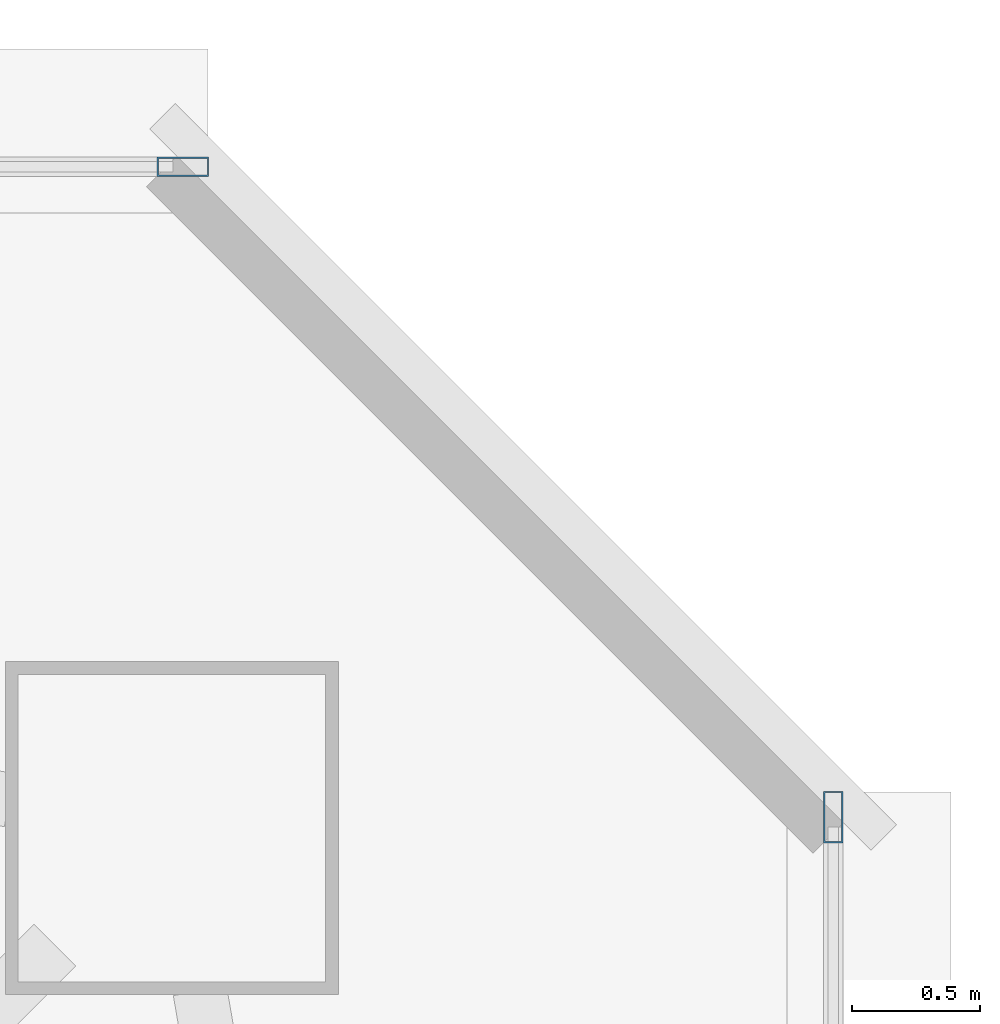
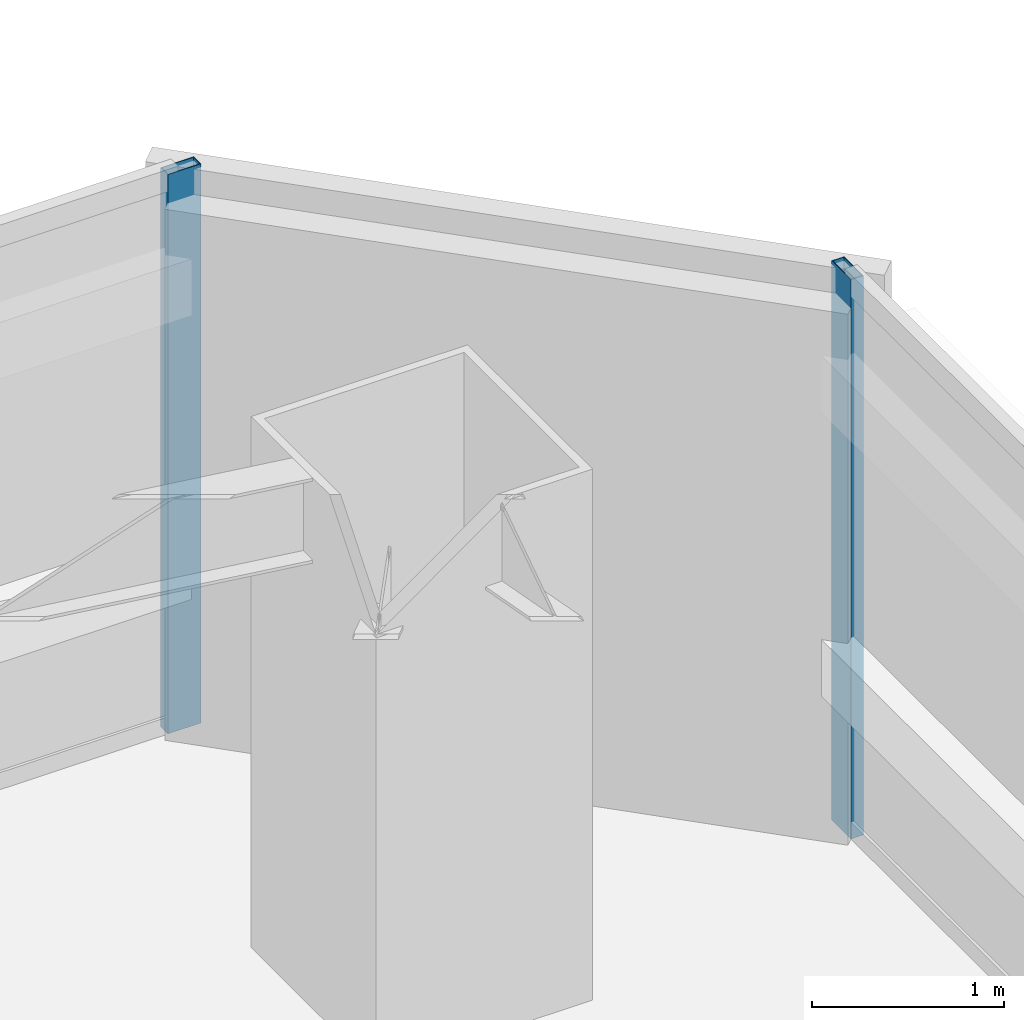
# One storey, part 16 of 42: 2 members, 2 elements without a shape of their own.
"""IFC4 building model written with IfcOpenShell, lengths in metres."""

from ifc_helpers import new_model, si_unit, direction, frame, origin, origin_2d, place, context, subcontext, project, spatial, hollow_rectangle, extrude, material, material_profile, profile_set, type_object, element, aggregate, save


model = new_model("IFC4")

# Units and contexts
model_context = context("Model", 3, precision=1e-05, world=origin(), true_north=direction((0.0, 1.0)))
body_context = subcontext(model_context, "Body", "Model", "MODEL_VIEW")
ifc_project = project(units=[si_unit("LENGTHUNIT", "METRE"), si_unit("AREAUNIT", "SQUARE_METRE"), si_unit("VOLUMEUNIT", "CUBIC_METRE"), si_unit("PLANEANGLEUNIT", "RADIAN"), si_unit("MASSUNIT", "GRAM", prefix="KILO")], contexts=[model_context])

# Site, building, storey
site_placement = place(None, origin())
site = spatial("IfcSite", under=ifc_project, at=site_placement, CompositionType="ELEMENT")
building_placement = place(site_placement, origin())
building = spatial("IfcBuilding", under=site, at=building_placement, Name="Tashvorn Skyway Center", CompositionType="ELEMENT")
storey_placement = place(building_placement, frame((0.0, 0.0, 121.5)))
storey = spatial("IfcBuildingStorey", under=building, at=storey_placement, Name="L32", CompositionType="ELEMENT", Elevation=121.5)

# Curtain wall, member
ifc_material = material(Name="Thermally broken bronze-anodized aluminium 6063-T6", Category="aluminium")
curtain_wall_type = type_object("IfcCurtainWallType", Name="CW-CW-Z3", PredefinedType="NOTDEFINED", material=ifc_material)
curtain_wall_1_placement = place(storey_placement, origin())
curtain_wall_1 = element("IfcCurtainWall", 1, at=curtain_wall_1_placement, inside=storey, type_object=curtain_wall_type, Name="Tower 1 L32 North Unitised Curtain Wall Glazing Group 3", PredefinedType="NOTDEFINED")
ifc_material_profile = material_profile(ifc_material, hollow_rectangle(XDim=0.074951171875, YDim=0.199951171875, WallThickness=0.00439453125, at=origin_2d()), Name="ALU-MULL-75x200")
ifc_profile_set = profile_set([ifc_material_profile], Name="Thermally broken bronze-anodized aluminium 6063-T6")
member_type = type_object("IfcMemberType", Name="CWM-CW-Z3", PredefinedType="MULLION", material=ifc_profile_set)
member_1_placement = place(storey_placement, frame((58.742431640625, 51.280029296875, 0.0), z_axis=(0.0, 0.0, 1.0), x_axis=(0.0, 1.0, 0.0)))
member_1 = element("IfcMember", 2, at=member_1_placement, type_object=member_type, Name="CW-Z3 mullion 2", PredefinedType="MULLION", context=body_context, shape_type="SweptSolid", body=[
    extrude(hollow_rectangle(XDim=0.074951171875, YDim=0.199951171875, WallThickness=0.00439453125, at=origin_2d()), origin(), (0.0, 0.0, 1.0), 3.550048828125),
])
aggregate(curtain_wall_1, [member_1])

curtain_wall_2_placement = place(storey_placement, origin())
curtain_wall_2 = element("IfcCurtainWall", 3, at=curtain_wall_2_placement, inside=storey, type_object=curtain_wall_type, Name="Tower 1 L32 East Unitised Curtain Wall Glazing Group 1", PredefinedType="NOTDEFINED")
member_2_placement = place(storey_placement, frame((61.280029296875, 48.742431640625, 0.0), z_axis=(0.0, 0.0, 1.0), x_axis=(1.0, 0.0, 0.0)))
member_2 = element("IfcMember", 4, at=member_2_placement, type_object=member_type, Name="CW-Z3 mullion 1", PredefinedType="MULLION", context=body_context, shape_type="SweptSolid", body=[
    extrude(hollow_rectangle(XDim=0.074951171875, YDim=0.199951171875, WallThickness=0.00439453125, at=origin_2d()), origin(), (0.0, 0.0, 1.0), 3.550048828125),
])
aggregate(curtain_wall_2, [member_2])

save(model, "model.ifc")
